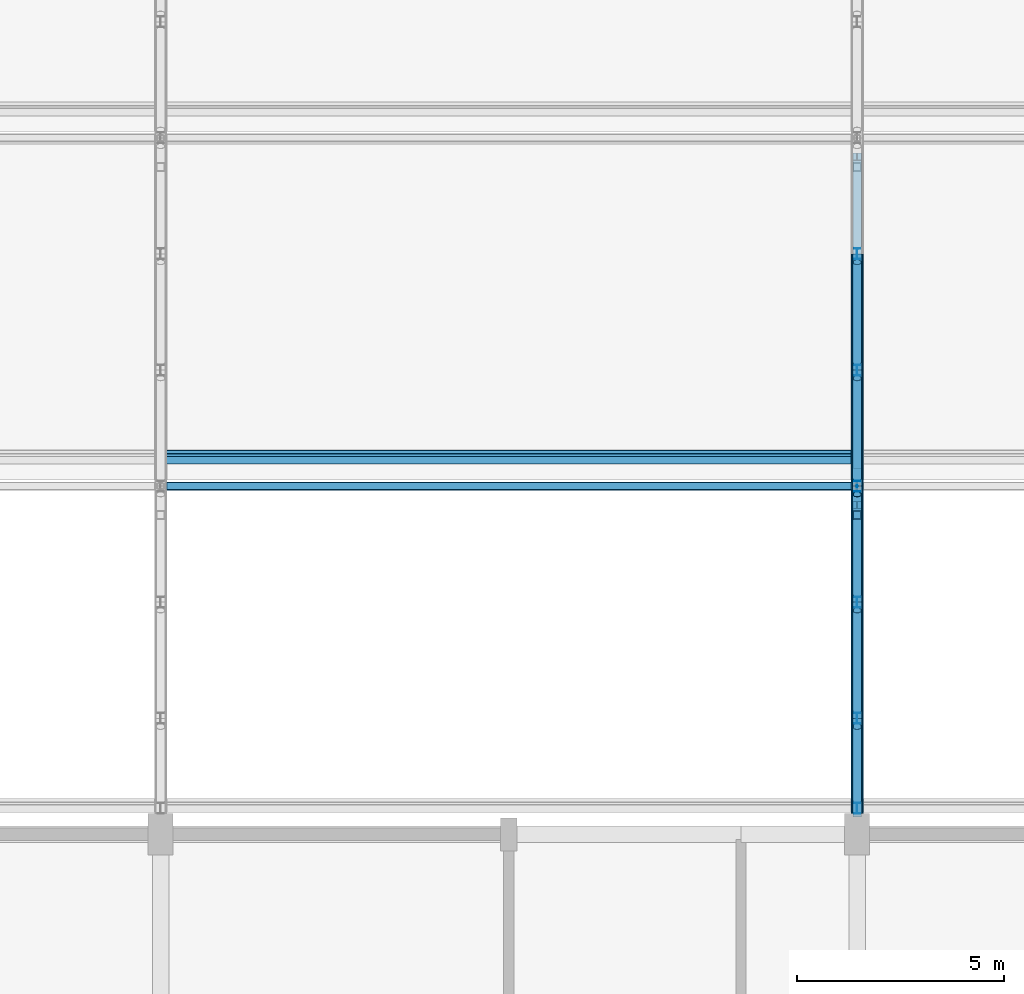
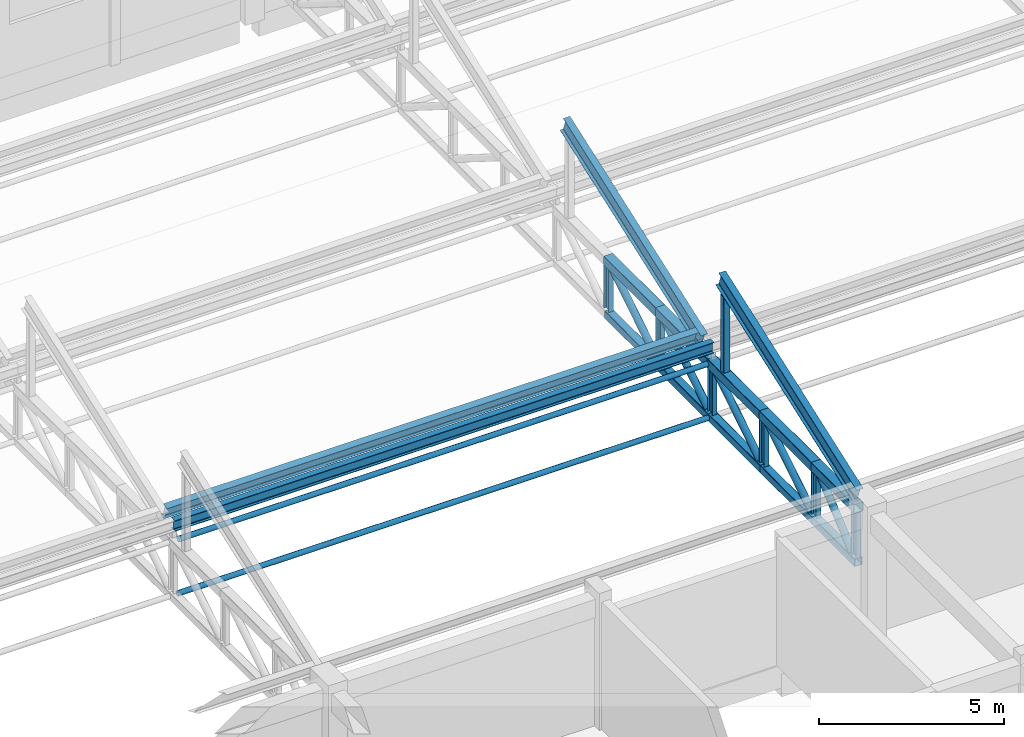
# One storey, part 25 of 101: 27 members, 1 beam.
"""IFC4 building model written with IfcOpenShell, lengths in metres."""

import ifcopenshell
import ifcopenshell.guid

model = None  # the IFC model being written
_history = None  # IfcOwnerHistory: only IFC2X3 demands one
_inside = {}  # id of a spatial element -> (the spatial element, [elements in it])
_under = {}  # id of a project, library or spatial element -> (it, [spatial elements below it])
_declared = {}  # id of a project -> (the project, [libraries it declares])
_typed = {}  # id of a type object -> (the type object, [elements of that type])
_made_of = {}  # id of a material, layer set ... -> (it, [elements and type objects made of it])


def new_model(schema):
    """Start an empty IFC model of exactly this schema.

    Asked for "IFC4X3", IfcOpenShell would pick the latest addendum, in which some entities
    have other attributes; the version numbers below select the first issue.
    IFC2X3 requires an IfcOwnerHistory on every rooted entity: one is made here for all.
    """
    global model, _history
    if schema == "IFC4X3":
        model = ifcopenshell.file(schema_version=(4, 3, 0, 0))
    else:
        model = ifcopenshell.file(schema=schema)
    _inside.clear()
    _under.clear()
    _declared.clear()
    _typed.clear()
    _made_of.clear()
    _history = None
    if model.schema == "IFC2X3":
        org = make("IfcOrganization", Name="unknown")
        user = make(
            "IfcPersonAndOrganization",
            ThePerson=make("IfcPerson", FamilyName="unknown"),
            TheOrganization=org,
        )
        app = make(
            "IfcApplication",
            ApplicationDeveloper=org,
            Version="unknown",
            ApplicationFullName="unknown",
            ApplicationIdentifier="unknown",
        )
        _history = make(
            "IfcOwnerHistory",
            OwningUser=user,
            OwningApplication=app,
            ChangeAction="ADDED",
            CreationDate=0,
        )
    return model


def make(cls, **values):
    """One entity of the class cls with the attributes given. An attribute that is None is left unset."""
    return model.create_entity(
        cls, **{name: value for name, value in values.items() if value is not None}
    )


def rooted(cls, **values):
    """An entity with a GlobalId (a new one), such as an element, a storey or a relation."""
    return make(cls, GlobalId=ifcopenshell.guid.new(), OwnerHistory=_history, **values)


def si_unit(unit_type, name, prefix=None):
    """IfcSIUnit, for example si_unit("LENGTHUNIT", "METRE", prefix="MILLI")."""
    return make("IfcSIUnit", UnitType=unit_type, Prefix=prefix, Name=name)


def assignment(units):
    """IfcUnitAssignment: the units of a project."""
    return None if units is None else make("IfcUnitAssignment", Units=units)


def point(xyz):
    """IfcCartesianPoint."""
    return None if xyz is None else make("IfcCartesianPoint", Coordinates=xyz)


def direction(xyz):
    """IfcDirection."""
    return None if xyz is None else make("IfcDirection", DirectionRatios=xyz)


def frame(location, z_axis=None, x_axis=None):
    """IfcAxis2Placement3D, a coordinate frame: its origin and axes. An axis left out is left unset."""
    return make(
        "IfcAxis2Placement3D",
        Location=point(location),
        Axis=direction(z_axis),
        RefDirection=direction(x_axis),
    )


def frame_2d(location, x_axis=None):
    """IfcAxis2Placement2D, a coordinate frame in the plane: its origin and x axis."""
    return make(
        "IfcAxis2Placement2D", Location=point(location), RefDirection=direction(x_axis)
    )


def origin():
    """The frame at (0, 0, 0) with its axes left unset."""
    return frame((0.0, 0.0, 0.0))


def origin_2d():
    """The frame at (0, 0) in the plane with its x axis left unset."""
    return frame_2d((0.0, 0.0))


def place(relative_to, where):
    """IfcLocalPlacement: puts the frame where relative to a parent placement (None: the world)."""
    return make(
        "IfcLocalPlacement", PlacementRelTo=relative_to, RelativePlacement=where
    )


def context(
    kind, dimensions, precision=None, world=None, true_north=None, identifier=None
):
    """IfcGeometricRepresentationContext, for example the 3D "Model" context."""
    return make(
        "IfcGeometricRepresentationContext",
        ContextIdentifier=identifier,
        ContextType=kind,
        CoordinateSpaceDimension=dimensions,
        Precision=precision,
        WorldCoordinateSystem=world,
        TrueNorth=true_north,
    )


def subcontext(parent, identifier, kind, view, scale=None):
    """IfcGeometricRepresentationSubContext, for example "Body" below "Model"."""
    return make(
        "IfcGeometricRepresentationSubContext",
        ContextIdentifier=identifier,
        ContextType=kind,
        ParentContext=parent,
        TargetScale=scale,
        TargetView=view,
    )


def project(units=None, contexts=None):
    """IfcProject with its units and contexts."""
    return rooted(
        "IfcProject",
        Name="project",
        RepresentationContexts=contexts,
        UnitsInContext=assignment(units),
    )


def spatial(cls, under=None, at=None, **own):
    """A site, building, storey or space (cls), placed at a placement, below another one or the project."""
    s = rooted(cls, ObjectPlacement=at, **own)
    if under is not None:
        _under.setdefault(under.id(), (under, []))[1].append(s)
    return s


def profile(cls, at=None, kind="AREA", **sizes):
    """A parametric profile (cls). Its sizes go by their IFC names, for example OverallWidth=200.0."""
    return make(cls, ProfileType=kind, Position=at, **sizes)


def hollow_rectangle(**sizes):
    """IfcRectangleHollowProfileDef."""
    return profile("IfcRectangleHollowProfileDef", **sizes)


def hollow_circle(**sizes):
    """IfcCircleHollowProfileDef."""
    return profile("IfcCircleHollowProfileDef", **sizes)


def i_section(**sizes):
    """IfcIShapeProfileDef."""
    return profile("IfcIShapeProfileDef", **sizes)


def extrude(swept, where, along, depth):
    """IfcExtrudedAreaSolid: the profile swept, set in the frame where, extruded along a direction by depth."""
    return make(
        "IfcExtrudedAreaSolid",
        SweptArea=swept,
        Position=where,
        ExtrudedDirection=direction(along),
        Depth=depth,
    )


def shape(context_of_items, identifier, shape_type, items):
    """IfcShapeRepresentation: the items that make up one representation, for example the "Body"."""
    return make(
        "IfcShapeRepresentation",
        ContextOfItems=context_of_items,
        RepresentationIdentifier=identifier,
        RepresentationType=shape_type,
        Items=items,
    )


def material(Name=None, Category=None):
    """IfcMaterial."""
    return make("IfcMaterial", Name=Name, Category=Category)


def material_profile(
    of_material, cross_section, Name=None, Category=None, Priority=None
):
    """IfcMaterialProfile: a cross section and its material."""
    return make(
        "IfcMaterialProfile",
        Name=Name,
        Material=of_material,
        Profile=cross_section,
        Priority=Priority,
        Category=Category,
    )


def profile_set(profiles, Name=None, composite=None):
    """IfcMaterialProfileSet."""
    return make(
        "IfcMaterialProfileSet",
        Name=Name,
        MaterialProfiles=profiles,
        CompositeProfile=composite,
    )


def made_of(thing, what):
    """Note that an element or type object is made of a material, layer set ...; save() writes the relation."""
    if what is not None:
        _made_of.setdefault(what.id(), (what, []))[1].append(thing)
    return thing


def type_object(cls, material=None, **own):
    """A type object (cls), such as IfcWallType, which elements share."""
    return made_of(rooted(cls, **own), material)


def element(
    cls,
    number,
    at=None,
    inside=None,
    cuts=None,
    type_object=None,
    material=None,
    context=None,
    identifier="Body",
    shape_type=None,
    held_by="IfcProductDefinitionShape",
    body=None,
    shapes=None,
    **own,
):
    """One element of the class cls, such as IfcWall. Its Tag is "e" and its number.

    at: its placement. inside: the storey or other place that contains it. cuts: it is an
    opening in that element (IfcRelVoidsElement). A single representation is given by context,
    identifier, shape_type and body (its items); several are given by shapes. held_by: the class
    of the entity that holds the representations. save() writes the other relations.
    """
    e = rooted(cls, Tag="e%d" % number, ObjectPlacement=at, **own)
    if body is not None:
        shapes = [shape(context, identifier, shape_type, body)]
    if shapes is not None:
        e.Representation = make(held_by, Representations=shapes)
    if inside is not None:
        _inside.setdefault(inside.id(), (inside, []))[1].append(e)
    if cuts is not None:
        rooted(
            "IfcRelVoidsElement", RelatingBuildingElement=cuts, RelatedOpeningElement=e
        )
    if type_object is not None:
        _typed.setdefault(type_object.id(), (type_object, []))[1].append(e)
    return made_of(e, material)


def aggregate(whole, parts):
    """IfcRelAggregates: a whole, such as a stair, and the parts it consists of."""
    return rooted("IfcRelAggregates", RelatingObject=whole, RelatedObjects=parts)


def save(model, path):
    """Write the relations noted so far, then the file.

    IfcRelAggregates (storeys below a building ...), IfcRelContainedInSpatialStructure (elements
    in a storey), IfcRelDefinesByType, IfcRelAssociatesMaterial and IfcRelDeclares: one each for
    every whole, place, type object, material and project.
    """
    for whole, parts in _under.values():
        aggregate(whole, parts)
    for where, things in _inside.values():
        rooted(
            "IfcRelContainedInSpatialStructure",
            RelatedElements=things,
            RelatingStructure=where,
        )
    for kind, things in _typed.values():
        rooted("IfcRelDefinesByType", RelatedObjects=things, RelatingType=kind)
    for what, things in _made_of.values():
        rooted("IfcRelAssociatesMaterial", RelatedObjects=things, RelatingMaterial=what)
    for by, libraries in _declared.values():
        rooted("IfcRelDeclares", RelatingContext=by, RelatedDefinitions=libraries)
    model.write(path)


model = new_model("IFC4")

# Units and contexts
model_context = context("Model", 3, precision=1e-05, world=origin(), true_north=direction((0.0, 1.0)))
body_context = subcontext(model_context, "Body", "Model", "MODEL_VIEW")
ifc_project = project(units=[si_unit("LENGTHUNIT", "METRE"), si_unit("AREAUNIT", "SQUARE_METRE"), si_unit("VOLUMEUNIT", "CUBIC_METRE"), si_unit("PLANEANGLEUNIT", "RADIAN"), si_unit("MASSUNIT", "GRAM", prefix="KILO")], contexts=[model_context])

# Site, building, storey
site_placement = place(None, origin())
site = spatial("IfcSite", under=ifc_project, at=site_placement, CompositionType="ELEMENT")
building_placement = place(site_placement, origin())
building = spatial("IfcBuilding", under=site, at=building_placement, Name="Fescue Hill Polytechnic", CompositionType="ELEMENT")
storey_placement = place(building_placement, frame((0.0, 0.0, 9.0)))
storey = spatial("IfcBuildingStorey", under=building, at=storey_placement, Name="L02", CompositionType="ELEMENT", Elevation=9.0)

# Members
ifc_material = material(Name="Steel 350W (350 MPa)", Category="steel")
ifc_material_profile_1 = material_profile(ifc_material, hollow_rectangle(XDim=0.25390625, YDim=0.25390625, WallThickness=0.0126953125, InnerFilletRadius=0.0126953125, OuterFilletRadius=0.025390625, at=origin_2d()), Name="Hall truss bottom chord HSS 254x254x13")
ifc_profile_set_1 = profile_set([ifc_material_profile_1], Name="Steel 350W (350 MPa)")
member_type_1 = type_object("IfcMemberType", Name="Hall truss bottom chord HSS 254x254x13", PredefinedType="CHORD", material=ifc_profile_set_1)
member_1_placement = place(storey_placement, frame((67.199951171875, 17.300048828125, 2.0), z_axis=(0.0, 1.0, 0.0), x_axis=(-1.0, 0.0, 0.0)))
element("IfcMember", 1, at=member_1_placement, inside=storey, type_object=member_type_1, Name="Truss TR5 bottom chord 1", PredefinedType="CHORD", context=body_context, shape_type="SweptSolid", body=[
    extrude(hollow_rectangle(XDim=0.25390625, YDim=0.25390625, WallThickness=0.0126953125, InnerFilletRadius=0.0126953125, OuterFilletRadius=0.025390625, at=origin_2d()), origin(), (0.0, 0.0, 1.0), 2.300048828125),
])
member_2_placement = place(storey_placement, frame((67.199951171875, 19.60009765625, 2.0), z_axis=(0.0, 1.0, 0.0), x_axis=(-1.0, 0.0, 0.0)))
element("IfcMember", 2, at=member_2_placement, inside=storey, type_object=member_type_1, Name="Truss TR5 bottom chord 2", PredefinedType="CHORD", context=body_context, shape_type="SweptSolid", body=[
    extrude(hollow_rectangle(XDim=0.25390625, YDim=0.25390625, WallThickness=0.0126953125, InnerFilletRadius=0.0126953125, OuterFilletRadius=0.025390625, at=origin_2d()), origin(), (0.0, 0.0, 1.0), 2.7998046875),
])
for number, where, z_axis, x_axis, name in (
    (3, (67.199951171875, 22.39990234375, 2.0), (0.0, 1.0, 0.0), (-1.0, 0.0, 0.0), "Truss TR5 bottom chord 3"),
    (4, (67.199951171875, 25.199951171875, 2.0), (0.0, 1.0, 0.0), (-1.0, 0.0, 0.0), "Truss TR5 bottom chord 4"),
    (5, (67.199951171875, 28.0, 2.0), (0.0, 1.0, 0.0), (-1.0, 0.0, 0.0), "Truss TR5 bottom chord 5"),
):
    element("IfcMember", number, at=place(storey_placement, frame(where, z_axis=z_axis, x_axis=x_axis)), inside=storey, type_object=member_type_1, Name=name, PredefinedType="CHORD", context=body_context, shape_type="SweptSolid", body=[
        extrude(hollow_rectangle(XDim=0.25390625, YDim=0.25390625, WallThickness=0.0126953125, InnerFilletRadius=0.0126953125, OuterFilletRadius=0.025390625, at=origin_2d()), origin(), (0.0, 0.0, 1.0), 2.800048828125),
    ])
ifc_material_profile_2 = material_profile(ifc_material, hollow_circle(Radius=0.109619140625, WallThickness=0.009521484375, at=origin_2d()), Name="Hall truss diagonal CHS 219x9.5")
ifc_profile_set_2 = profile_set([ifc_material_profile_2], Name="Steel 350W (350 MPa)")
member_type_2 = type_object("IfcMemberType", Name="Hall truss diagonal CHS 219x9.5", PredefinedType="BRACE", material=ifc_profile_set_2)
member_3_placement = place(storey_placement, frame((67.199951171875, 17.633056640625, 2.126953125), z_axis=(0.0, 0.761443253909, 0.648231572107), x_axis=(-1.0, 0.0, 0.0)))
element("IfcMember", 6, at=member_3_placement, inside=storey, type_object=member_type_2, Name="Truss TR5 diagonal 1", PredefinedType="BRACE", context=body_context, shape_type="SweptSolid", body=[
    extrude(hollow_circle(Radius=0.109619140625, WallThickness=0.009521484375, at=origin_2d()), origin(), (0.0, 0.0, 1.0), 2.3203125),
])
for number, where, z_axis, x_axis, name in (
    (7, (67.199951171875, 19.800048828125, 2.126953125), (0.0, 0.847329350891, 0.531067765091), (-1.0, 0.0, 0.0), "Truss TR5 diagonal 2"),
    (8, (67.199951171875, 22.60009765625, 2.126953125), (0.0, 0.847329350891, 0.531067765091), (-1.0, 0.0, 0.0), "Truss TR5 diagonal 3"),
):
    element("IfcMember", number, at=place(storey_placement, frame(where, z_axis=z_axis, x_axis=x_axis)), inside=storey, type_object=member_type_2, Name=name, PredefinedType="BRACE", context=body_context, shape_type="SweptSolid", body=[
        extrude(hollow_circle(Radius=0.109619140625, WallThickness=0.009521484375, at=origin_2d()), origin(), (0.0, 0.0, 1.0), 2.832275390625),
    ])
for number, where, z_axis, x_axis, name in (
    (9, (67.199951171875, 25.39990234375, 2.126953125), (0.0, 0.847353658992, 0.531028979051), (-1.0, 0.0, 0.0), "Truss TR5 diagonal 4"),
    (10, (67.199951171875, 28.199951171875, 2.126953125), (0.0, 0.847353658992, 0.531028979051), (-1.0, 0.0, 0.0), "Truss TR5 diagonal 5"),
):
    element("IfcMember", number, at=place(storey_placement, frame(where, z_axis=z_axis, x_axis=x_axis)), inside=storey, type_object=member_type_2, Name=name, PredefinedType="BRACE", context=body_context, shape_type="SweptSolid", body=[
        extrude(hollow_circle(Radius=0.109619140625, WallThickness=0.009521484375, at=origin_2d()), origin(), (0.0, 0.0, 1.0), 2.83251953125),
    ])
ifc_material_profile_3 = material_profile(ifc_material, i_section(OverallWidth=0.14794921875, OverallDepth=0.26611328125, WebThickness=0.007568359375, FlangeThickness=0.012939453125, FilletRadius=0.013916015625, at=origin_2d()), Name="W250x45")
ifc_profile_set_3 = profile_set([ifc_material_profile_3], Name="Steel 350W (350 MPa)")
member_type_3 = type_object("IfcMemberType", Name="Hall truss post W250x45", PredefinedType="POST", material=ifc_profile_set_3)
for number, where, z_axis, x_axis, name in (
    (11, (67.199951171875, 17.43310546875, 2.126953125), (0.0, 0.0, 1.0), (1.0, 0.0, 0.0), "Truss TR5 post 1"),
    (12, (67.199951171875, 19.60009765625, 2.126953125), (0.0, 0.0, 1.0), (1.0, 0.0, 0.0), "Truss TR5 post 2"),
    (13, (67.199951171875, 22.39990234375, 2.126953125), (0.0, 0.0, 1.0), (1.0, 0.0, 0.0), "Truss TR5 post 3"),
    (14, (67.199951171875, 25.199951171875, 2.126953125), (0.0, 0.0, 1.0), (1.0, 0.0, 0.0), "Truss TR5 post 4"),
    (15, (67.199951171875, 28.0, 2.126953125), (0.0, 0.0, 1.0), (1.0, 0.0, 0.0), "Truss TR5 post 5"),
    (16, (67.199951171875, 30.800048828125, 2.126953125), (0.0, 0.0, 1.0), (1.0, 0.0, 0.0), "Truss TR5 post 6"),
):
    element("IfcMember", number, at=place(storey_placement, frame(where, z_axis=z_axis, x_axis=x_axis)), inside=storey, type_object=member_type_3, Name=name, PredefinedType="POST", context=body_context, shape_type="SweptSolid", body=[
        extrude(i_section(OverallWidth=0.14794921875, OverallDepth=0.26611328125, WebThickness=0.007568359375, FlangeThickness=0.012939453125, FilletRadius=0.013916015625, at=origin_2d()), origin(), (0.0, 0.0, 1.0), 1.504150390625),
    ])
ifc_material_profile_4 = material_profile(ifc_material, hollow_circle(Radius=0.084228515625, WallThickness=0.009521484375, at=origin_2d()), Name="Hall truss tie strut CHS 168x9.5")
ifc_profile_set_4 = profile_set([ifc_material_profile_4], Name="Steel 350W (350 MPa)")
member_type_4 = type_object("IfcMemberType", Name="Hall truss tie strut CHS 168x9.5", PredefinedType="STRUT", material=ifc_profile_set_4)
member_4_placement = place(storey_placement, frame((50.552490234375, 25.199951171875, 3.783447265625), z_axis=(1.0, 0.0, 0.0), x_axis=(0.0, 1.0, 0.0)))
element("IfcMember", 17, at=member_4_placement, inside=storey, type_object=member_type_4, Name="Top chord tie strut bay 4 line 1", PredefinedType="STRUT", context=body_context, shape_type="SweptSolid", body=[
    extrude(hollow_circle(Radius=0.084228515625, WallThickness=0.009521484375, at=origin_2d()), origin(), (0.0, 0.0, 1.0), 16.4951171875),
])
member_5_placement = place(storey_placement, frame((50.527099609375, 25.199951171875, 2.0), z_axis=(1.0, 0.0, 0.0), x_axis=(0.0, 1.0, 0.0)))
element("IfcMember", 18, at=member_5_placement, inside=storey, type_object=member_type_4, Name="Bottom chord tie strut bay 4 line 1", PredefinedType="STRUT", context=body_context, shape_type="SweptSolid", body=[
    extrude(hollow_circle(Radius=0.084228515625, WallThickness=0.009521484375, at=origin_2d()), origin(), (0.0, 0.0, 1.0), 16.5458984375),
])
ifc_material_profile_5 = material_profile(ifc_material, hollow_rectangle(XDim=0.3046875, YDim=0.3046875, WallThickness=0.0126953125, InnerFilletRadius=0.0126953125, OuterFilletRadius=0.025390625, at=origin_2d()), Name="Hall truss top chord HSS 305x305x13")
ifc_profile_set_5 = profile_set([ifc_material_profile_5], Name="Steel 350W (350 MPa)")
member_type_5 = type_object("IfcMemberType", Name="Hall truss top chord HSS 305x305x13", PredefinedType="CHORD", material=ifc_profile_set_5)
member_6_placement = place(storey_placement, frame((67.199951171875, 17.300048828125, 3.783447265625), z_axis=(0.0, 1.0, 0.0), x_axis=(-1.0, 0.0, 0.0)))
element("IfcMember", 19, at=member_6_placement, inside=storey, type_object=member_type_5, Name="Truss TR5 top chord 1", PredefinedType="CHORD", context=body_context, shape_type="SweptSolid", body=[
    extrude(hollow_rectangle(XDim=0.3046875, YDim=0.3046875, WallThickness=0.0126953125, InnerFilletRadius=0.0126953125, OuterFilletRadius=0.025390625, at=origin_2d()), origin(), (0.0, 0.0, 1.0), 2.300048828125),
])
member_7_placement = place(storey_placement, frame((67.199951171875, 19.60009765625, 3.783447265625), z_axis=(0.0, 1.0, 0.0), x_axis=(-1.0, 0.0, 0.0)))
element("IfcMember", 20, at=member_7_placement, inside=storey, type_object=member_type_5, Name="Truss TR5 top chord 2", PredefinedType="CHORD", context=body_context, shape_type="SweptSolid", body=[
    extrude(hollow_rectangle(XDim=0.3046875, YDim=0.3046875, WallThickness=0.0126953125, InnerFilletRadius=0.0126953125, OuterFilletRadius=0.025390625, at=origin_2d()), origin(), (0.0, 0.0, 1.0), 2.7998046875),
])
for number, where, z_axis, x_axis, name in (
    (21, (67.199951171875, 22.39990234375, 3.783447265625), (0.0, 1.0, 0.0), (-1.0, 0.0, 0.0), "Truss TR5 top chord 3"),
    (22, (67.199951171875, 25.199951171875, 3.783447265625), (0.0, 1.0, 0.0), (-1.0, 0.0, 0.0), "Truss TR5 top chord 4"),
    (23, (67.199951171875, 28.0, 3.783447265625), (0.0, 1.0, 0.0), (-1.0, 0.0, 0.0), "Truss TR5 top chord 5"),
):
    element("IfcMember", number, at=place(storey_placement, frame(where, z_axis=z_axis, x_axis=x_axis)), inside=storey, type_object=member_type_5, Name=name, PredefinedType="CHORD", context=body_context, shape_type="SweptSolid", body=[
        extrude(hollow_rectangle(XDim=0.3046875, YDim=0.3046875, WallThickness=0.0126953125, InnerFilletRadius=0.0126953125, OuterFilletRadius=0.025390625, at=origin_2d()), origin(), (0.0, 0.0, 1.0), 2.800048828125),
    ])
ifc_material_profile_6 = material_profile(ifc_material, i_section(OverallWidth=0.18994140625, OverallDepth=0.45703125, WebThickness=0.009033203125, FlangeThickness=0.014404296875, FilletRadius=0.0166015625, at=origin_2d()), Name="W460x74")
ifc_profile_set_6 = profile_set([ifc_material_profile_6], Name="Steel 350W (350 MPa)")
member_type_6 = type_object("IfcMemberType", Name="Tooth purlin W460x74", PredefinedType="PURLIN", material=ifc_profile_set_6)
member_8_placement = place(storey_placement, frame((50.50439453125, 25.89990234375, 4.294921875), z_axis=(1.0, 0.0, 0.0), x_axis=(0.0, 0.941741911595, 0.336336396997)))
element("IfcMember", 24, at=member_8_placement, inside=storey, type_object=member_type_6, Name="Tooth 2 purlin 1 bay 4", PredefinedType="PURLIN", context=body_context, shape_type="SweptSolid", body=[
    extrude(i_section(OverallWidth=0.18994140625, OverallDepth=0.45703125, WebThickness=0.009033203125, FlangeThickness=0.014404296875, FilletRadius=0.0166015625, at=origin_2d()), origin(), (0.0, 0.0, 1.0), 16.591064453125),
])
ifc_material_profile_7 = material_profile(ifc_material, i_section(OverallWidth=0.208984375, OverallDepth=0.532958984375, WebThickness=0.01025390625, FlangeThickness=0.015625, FilletRadius=0.016357421875, at=origin_2d()), Name="W530x92")
ifc_profile_set_7 = profile_set([ifc_material_profile_7], Name="Steel 350W (350 MPa)")
member_type_7 = type_object("IfcMemberType", Name="Tooth rafter W530x92", PredefinedType="RAFTER", material=ifc_profile_set_7)
member_9_placement = place(storey_placement, frame((67.199951171875, 17.310302734375, 4.18701171875), z_axis=(0.0, 0.941744009147, 0.336330523793), x_axis=(-1.0, 0.0, 0.0)))
element("IfcMember", 25, at=member_9_placement, inside=storey, type_object=member_type_7, Name="Tooth 1 rafter on TR5", PredefinedType="RAFTER", context=body_context, shape_type="SweptSolid", body=[
    extrude(i_section(OverallWidth=0.208984375, OverallDepth=0.532958984375, WebThickness=0.01025390625, FlangeThickness=0.015625, FilletRadius=0.016357421875, at=origin_2d()), origin(), (0.0, 0.0, 1.0), 7.89990234375),
])
member_10_placement = place(storey_placement, frame((67.199951171875, 25.71044921875, 4.18701171875), z_axis=(0.0, 0.941740513165, 0.336340312575), x_axis=(-1.0, 0.0, 0.0)))
element("IfcMember", 26, at=member_10_placement, inside=storey, type_object=member_type_7, Name="Tooth 2 rafter on TR5", PredefinedType="RAFTER", context=body_context, shape_type="SweptSolid", body=[
    extrude(i_section(OverallWidth=0.208984375, OverallDepth=0.532958984375, WebThickness=0.01025390625, FlangeThickness=0.015625, FilletRadius=0.016357421875, at=origin_2d()), origin(), (0.0, 0.0, 1.0), 7.899658203125),
])
ifc_material_profile_8 = material_profile(ifc_material, hollow_rectangle(XDim=0.203125, YDim=0.203125, WallThickness=0.009521484375, InnerFilletRadius=0.009521484375, OuterFilletRadius=0.01904296875, at=origin_2d()), Name="Tooth ridge post HSS 203x203x9.5")
ifc_profile_set_8 = profile_set([ifc_material_profile_8], Name="Steel 350W (350 MPa)")
member_type_8 = type_object("IfcMemberType", Name="Tooth ridge post HSS 203x203x9.5", PredefinedType="POST", material=ifc_profile_set_8)
member_11_placement = place(storey_placement, frame((67.199951171875, 24.5, 3.93603515625), z_axis=(0.0, 0.0, 1.0), x_axis=(1.0, 0.0, 0.0)))
element("IfcMember", 27, at=member_11_placement, inside=storey, type_object=member_type_8, Name="Tooth 1 ridge post on TR5", PredefinedType="POST", context=body_context, shape_type="SweptSolid", body=[
    extrude(hollow_rectangle(XDim=0.203125, YDim=0.203125, WallThickness=0.009521484375, InnerFilletRadius=0.009521484375, OuterFilletRadius=0.01904296875, at=origin_2d()), origin(), (0.0, 0.0, 1.0), 2.499267578125),
])

# Beam
ifc_material_profile_9 = material_profile(ifc_material, i_section(OverallWidth=0.2041015625, OverallDepth=0.35009765625, WebThickness=0.008544921875, FlangeThickness=0.01513671875, FilletRadius=0.02197265625, at=origin_2d()), Name="W360x72")
ifc_profile_set_9 = profile_set([ifc_material_profile_9], Name="Steel 350W (350 MPa)")
beam_type = type_object("IfcBeamType", Name="Valley gutter beam W360x72", PredefinedType="BEAM", material=ifc_profile_set_9)
beam_placement = place(storey_placement, frame((50.39990234375, 25.199951171875, 4.324951171875), z_axis=(1.0, 0.0, 0.0), x_axis=(0.0, 1.0, 0.0)))
element("IfcBeam", 28, at=beam_placement, inside=storey, type_object=beam_type, Name="Valley 2 gutter beam bay 4", PredefinedType="BEAM", context=body_context, shape_type="SweptSolid", body=[
    extrude(i_section(OverallWidth=0.2041015625, OverallDepth=0.35009765625, WebThickness=0.008544921875, FlangeThickness=0.01513671875, FilletRadius=0.02197265625, at=origin_2d()), origin(), (0.0, 0.0, 1.0), 16.800048828125),
])

save(model, "model.ifc")
